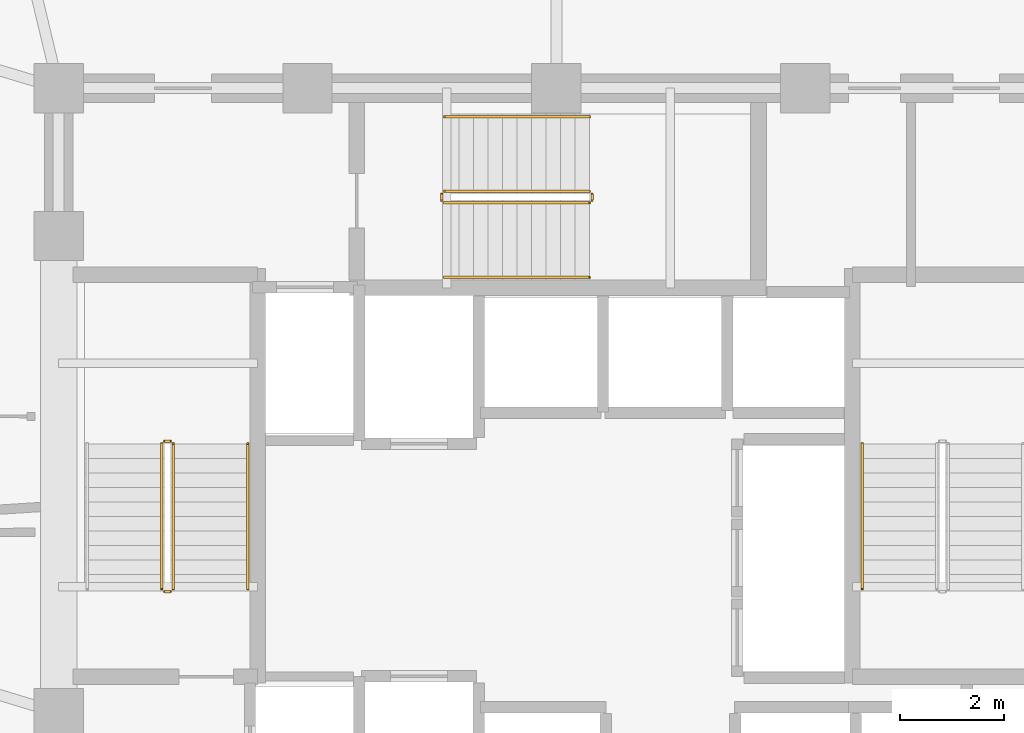
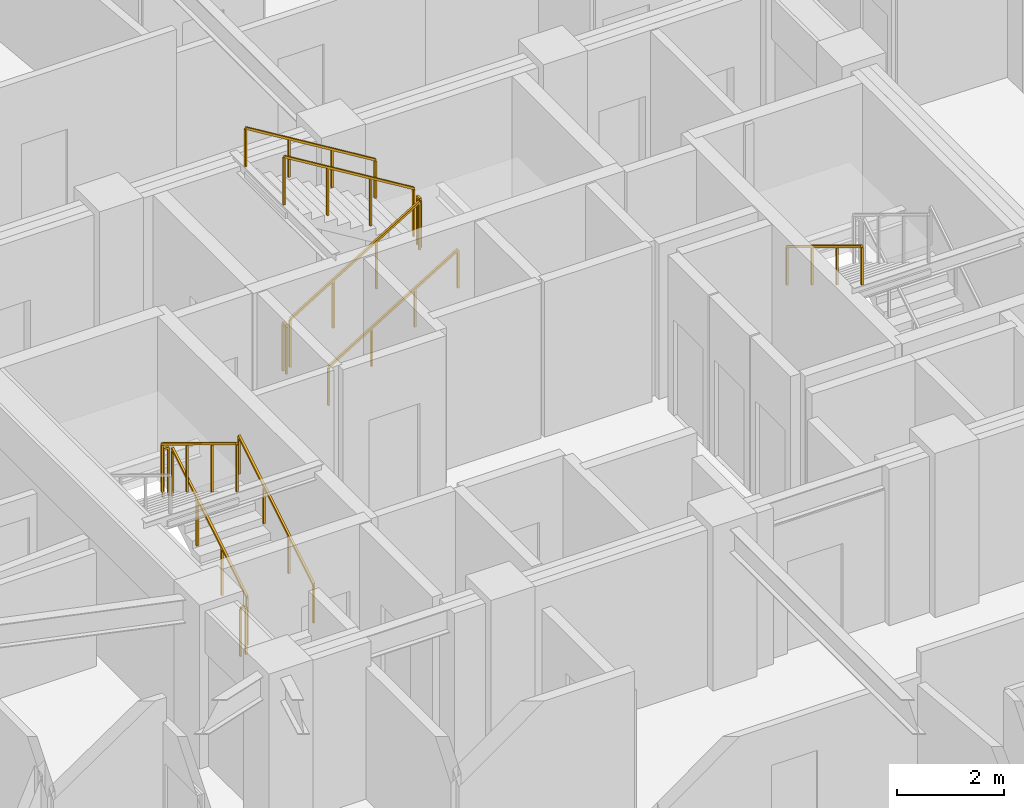
# One storey, part 28 of 30: 12 railings.
"""IFC4 building model written with IfcOpenShell, lengths in metres."""

from ifc_helpers import new_model, si_unit, direction, frame, origin, origin_2d, place, context, subcontext, project, spatial, rectangle, extrude, material, type_object, element, save


model = new_model("IFC4")

# Units and contexts
model_context = context("Model", 3, precision=1e-05, world=origin(), true_north=direction((0.0, 1.0)))
body_context = subcontext(model_context, "Body", "Model", "MODEL_VIEW")
ifc_project = project(units=[si_unit("LENGTHUNIT", "METRE"), si_unit("AREAUNIT", "SQUARE_METRE"), si_unit("VOLUMEUNIT", "CUBIC_METRE"), si_unit("PLANEANGLEUNIT", "RADIAN"), si_unit("MASSUNIT", "GRAM", prefix="KILO")], contexts=[model_context])

# Site, building, storey
site_placement = place(None, origin())
site = spatial("IfcSite", under=ifc_project, at=site_placement, CompositionType="ELEMENT")
building_placement = place(site_placement, origin())
building = spatial("IfcBuilding", under=site, at=building_placement, Name="Vantalir Tower", CompositionType="ELEMENT")
storey_placement = place(building_placement, frame((0.0, 0.0, 153.449951171875)))
storey = spatial("IfcBuildingStorey", under=building, at=storey_placement, Name="L38", CompositionType="ELEMENT", Elevation=153.449951171875)

# Railings
ifc_material_1 = material(Name="Anodised aluminium and stainless steel guard", Category="steel")
railing_type_1 = type_object("IfcRailingType", Name="RAL-GUARD-1120", PredefinedType="GUARDRAIL", material=ifc_material_1)
railing_1_placement = place(storey_placement, frame((24.110107421875, 22.7900390625, 0.17041015625)))
element("IfcRailing", 1, at=railing_1_placement, inside=storey, type_object=railing_type_1, Name="L38 ST1 stair guard 1", PredefinedType="GUARDRAIL", context=body_context, shape_type="SweptSolid", body=[
    extrude(rectangle(XDim=0.048095703125, YDim=0.048095703125, at=origin_2d()), frame((0.0, 0.0, 1.09619140625), z_axis=(0.0, 0.854169791009, 0.51999420009), x_axis=(-1.0, 0.0, 0.0)), (0.0, 0.0, 1.0), 3.278076171875),
    extrude(rectangle(XDim=0.0419921875, YDim=0.0419921875, at=origin_2d()), origin(), (0.0, 0.0, 1.0), 1.072021484375),
    extrude(rectangle(XDim=0.0419921875, YDim=0.0419921875, at=origin_2d()), frame((0.0, 0.933349609375, 0.568115234375)), (0.0, 0.0, 1.0), 1.072021484375),
    extrude(rectangle(XDim=0.0419921875, YDim=0.0419921875, at=origin_2d()), frame((0.0, 1.86669921875, 1.136474609375)), (0.0, 0.0, 1.0), 1.072021484375),
    extrude(rectangle(XDim=0.0419921875, YDim=0.0419921875, at=origin_2d()), frame((0.0, 2.800048828125, 1.70458984375)), (0.0, 0.0, 1.0), 1.072021484375),
])
railing_2_placement = place(storey_placement, frame((24.06005859375, 25.639892578125, 1.875)))
element("IfcRailing", 2, at=railing_2_placement, inside=storey, type_object=railing_type_1, Name="L38 ST1 stair guard 2", PredefinedType="GUARDRAIL", context=body_context, shape_type="SweptSolid", body=[
    extrude(rectangle(XDim=0.048095703125, YDim=0.048095703125, at=origin_2d()), frame((0.0, 0.0, 1.09619140625), z_axis=(-1.0, 0.0, 0.0), x_axis=(0.0, -1.0, 0.0)), (0.0, 0.0, 1.0), 0.1201171875),
    extrude(rectangle(XDim=0.0419921875, YDim=0.0419921875, at=origin_2d()), origin(), (0.0, 0.0, 1.0), 1.072021484375),
    extrude(rectangle(XDim=0.0419921875, YDim=0.0419921875, at=origin_2d()), frame((-0.1201171875, 0.0, 0.0)), (0.0, 0.0, 1.0), 1.072021484375),
])
railing_3_placement = place(storey_placement, frame((23.889892578125, 25.590087890625, 2.04541015625)))
element("IfcRailing", 3, at=railing_3_placement, inside=storey, type_object=railing_type_1, Name="L38 ST1 stair guard 3", PredefinedType="GUARDRAIL", context=body_context, shape_type="SweptSolid", body=[
    extrude(rectangle(XDim=0.048095703125, YDim=0.048095703125, at=origin_2d()), frame((0.0, 0.0, 1.09619140625), z_axis=(0.0, -0.854169791009, 0.51999420009), x_axis=(1.0, 0.0, 0.0)), (0.0, 0.0, 1.0), 3.278076171875),
    extrude(rectangle(XDim=0.0419921875, YDim=0.0419921875, at=origin_2d()), origin(), (0.0, 0.0, 1.0), 1.072021484375),
    extrude(rectangle(XDim=0.0419921875, YDim=0.0419921875, at=origin_2d()), frame((0.0, -0.933349609375, 0.568115234375)), (0.0, 0.0, 1.0), 1.072021484375),
    extrude(rectangle(XDim=0.0419921875, YDim=0.0419921875, at=origin_2d()), frame((0.0, -1.86669921875, 1.136474609375)), (0.0, 0.0, 1.0), 1.072021484375),
    extrude(rectangle(XDim=0.0419921875, YDim=0.0419921875, at=origin_2d()), frame((0.0, -2.800048828125, 1.70458984375)), (0.0, 0.0, 1.0), 1.072021484375),
])
railing_4_placement = place(storey_placement, frame((24.06005859375, 22.739990234375, 0.0)))
element("IfcRailing", 4, at=railing_4_placement, inside=storey, type_object=railing_type_1, Name="L38 ST1 stair guard 4", PredefinedType="GUARDRAIL", context=body_context, shape_type="SweptSolid", body=[
    extrude(rectangle(XDim=0.048095703125, YDim=0.048095703125, at=origin_2d()), frame((0.0, 0.0, 1.09619140625), z_axis=(-1.0, 0.0, 0.0), x_axis=(0.0, -1.0, 0.0)), (0.0, 0.0, 1.0), 0.1201171875),
    extrude(rectangle(XDim=0.0419921875, YDim=0.0419921875, at=origin_2d()), origin(), (0.0, 0.0, 1.0), 1.072021484375),
    extrude(rectangle(XDim=0.0419921875, YDim=0.0419921875, at=origin_2d()), frame((-0.1201171875, 0.0, 0.0)), (0.0, 0.0, 1.0), 1.072021484375),
])
railing_5_placement = place(storey_placement, frame((29.340087890625, 30.239990234375, 0.17041015625)))
element("IfcRailing", 5, at=railing_5_placement, inside=storey, type_object=railing_type_1, Name="L38 ST3 stair guard 1", PredefinedType="GUARDRAIL", context=body_context, shape_type="SweptSolid", body=[
    extrude(rectangle(XDim=0.048095703125, YDim=0.048095703125, at=origin_2d()), frame((0.0, 0.0, 1.09619140625), z_axis=(0.854149651119, 0.0, 0.520027281489), x_axis=(0.0, 1.0, 0.0)), (0.0, 0.0, 1.0), 3.27783203125),
    extrude(rectangle(XDim=0.0419921875, YDim=0.0419921875, at=origin_2d()), origin(), (0.0, 0.0, 1.0), 1.072021484375),
    extrude(rectangle(XDim=0.0419921875, YDim=0.0419921875, at=origin_2d()), frame((0.933349609375, 0.0, 0.568115234375)), (0.0, 0.0, 1.0), 1.072021484375),
    extrude(rectangle(XDim=0.0419921875, YDim=0.0419921875, at=origin_2d()), frame((1.866455078125, 0.0, 1.136474609375)), (0.0, 0.0, 1.0), 1.072021484375),
    extrude(rectangle(XDim=0.0419921875, YDim=0.0419921875, at=origin_2d()), frame((2.7998046875, 0.0, 1.70458984375)), (0.0, 0.0, 1.0), 1.072021484375),
])
railing_6_placement = place(storey_placement, frame((32.18994140625, 30.2900390625, 1.875)))
element("IfcRailing", 6, at=railing_6_placement, inside=storey, type_object=railing_type_1, Name="L38 ST3 stair guard 2", PredefinedType="GUARDRAIL", context=body_context, shape_type="SweptSolid", body=[
    extrude(rectangle(XDim=0.048095703125, YDim=0.048095703125, at=origin_2d()), frame((0.0, 0.0, 1.09619140625), z_axis=(0.0, 1.0, 0.0), x_axis=(-1.0, 0.0, 0.0)), (0.0, 0.0, 1.0), 0.119873046875),
    extrude(rectangle(XDim=0.0419921875, YDim=0.0419921875, at=origin_2d()), origin(), (0.0, 0.0, 1.0), 1.072021484375),
    extrude(rectangle(XDim=0.0419921875, YDim=0.0419921875, at=origin_2d()), frame((0.0, 0.119873046875, 0.0)), (0.0, 0.0, 1.0), 1.072021484375),
])
railing_7_placement = place(storey_placement, frame((32.139892578125, 30.4599609375, 2.04541015625)))
element("IfcRailing", 7, at=railing_7_placement, inside=storey, type_object=railing_type_1, Name="L38 ST3 stair guard 3", PredefinedType="GUARDRAIL", context=body_context, shape_type="SweptSolid", body=[
    extrude(rectangle(XDim=0.048095703125, YDim=0.048095703125, at=origin_2d()), frame((0.0, 0.0, 1.09619140625), z_axis=(-0.854149651119, 0.0, 0.520027281489), x_axis=(0.0, -1.0, 0.0)), (0.0, 0.0, 1.0), 3.27783203125),
    extrude(rectangle(XDim=0.0419921875, YDim=0.0419921875, at=origin_2d()), origin(), (0.0, 0.0, 1.0), 1.072021484375),
    extrude(rectangle(XDim=0.0419921875, YDim=0.0419921875, at=origin_2d()), frame((-0.933349609375, 0.0, 0.568115234375)), (0.0, 0.0, 1.0), 1.072021484375),
    extrude(rectangle(XDim=0.0419921875, YDim=0.0419921875, at=origin_2d()), frame((-1.866455078125, 0.0, 1.136474609375)), (0.0, 0.0, 1.0), 1.072021484375),
    extrude(rectangle(XDim=0.0419921875, YDim=0.0419921875, at=origin_2d()), frame((-2.7998046875, 0.0, 1.70458984375)), (0.0, 0.0, 1.0), 1.072021484375),
])
railing_8_placement = place(storey_placement, frame((29.2900390625, 30.2900390625, 0.0)))
element("IfcRailing", 8, at=railing_8_placement, inside=storey, type_object=railing_type_1, Name="L38 ST3 stair guard 4", PredefinedType="GUARDRAIL", context=body_context, shape_type="SweptSolid", body=[
    extrude(rectangle(XDim=0.048095703125, YDim=0.048095703125, at=origin_2d()), frame((0.0, 0.0, 1.09619140625), z_axis=(0.0, 1.0, 0.0), x_axis=(-1.0, 0.0, 0.0)), (0.0, 0.0, 1.0), 0.119873046875),
    extrude(rectangle(XDim=0.0419921875, YDim=0.0419921875, at=origin_2d()), origin(), (0.0, 0.0, 1.0), 1.072021484375),
    extrude(rectangle(XDim=0.0419921875, YDim=0.0419921875, at=origin_2d()), frame((0.0, 0.119873046875, 0.0)), (0.0, 0.0, 1.0), 1.072021484375),
])
ifc_material_2 = material(Name="Brushed stainless steel tubular handrail", Category="steel")
railing_type_2 = type_object("IfcRailingType", Name="RAL-HANDRAIL-900", PredefinedType="HANDRAIL", material=ifc_material_2)
railing_9_placement = place(storey_placement, frame((25.550048828125, 22.7900390625, 0.17041015625)))
element("IfcRailing", 9, at=railing_9_placement, inside=storey, type_object=railing_type_2, Name="L38 ST1 stair handrail 1", PredefinedType="HANDRAIL", context=body_context, shape_type="SweptSolid", body=[
    extrude(rectangle(XDim=0.048095703125, YDim=0.048095703125, at=origin_2d()), frame((0.0, 0.0, 0.8759765625), z_axis=(0.0, 0.854169791009, 0.51999420009), x_axis=(-1.0, 0.0, 0.0)), (0.0, 0.0, 1.0), 3.278076171875),
    extrude(rectangle(XDim=0.0419921875, YDim=0.0419921875, at=origin_2d()), origin(), (0.0, 0.0, 1.0), 0.851806640625),
    extrude(rectangle(XDim=0.0419921875, YDim=0.0419921875, at=origin_2d()), frame((0.0, 0.933349609375, 0.568115234375)), (0.0, 0.0, 1.0), 0.851806640625),
    extrude(rectangle(XDim=0.0419921875, YDim=0.0419921875, at=origin_2d()), frame((0.0, 1.86669921875, 1.136474609375)), (0.0, 0.0, 1.0), 0.851806640625),
    extrude(rectangle(XDim=0.0419921875, YDim=0.0419921875, at=origin_2d()), frame((0.0, 2.800048828125, 1.70458984375)), (0.0, 0.0, 1.0), 0.851806640625),
])
railing_10_placement = place(storey_placement, frame((37.39990234375, 25.590087890625, 2.04541015625)))
element("IfcRailing", 10, at=railing_10_placement, inside=storey, type_object=railing_type_2, Name="L38 ST2 stair handrail 2", PredefinedType="HANDRAIL", context=body_context, shape_type="SweptSolid", body=[
    extrude(rectangle(XDim=0.048095703125, YDim=0.048095703125, at=origin_2d()), frame((0.0, 0.0, 0.8759765625), z_axis=(0.0, -0.854169791009, 0.51999420009), x_axis=(1.0, 0.0, 0.0)), (0.0, 0.0, 1.0), 3.278076171875),
    extrude(rectangle(XDim=0.0419921875, YDim=0.0419921875, at=origin_2d()), origin(), (0.0, 0.0, 1.0), 0.851806640625),
    extrude(rectangle(XDim=0.0419921875, YDim=0.0419921875, at=origin_2d()), frame((0.0, -0.933349609375, 0.568115234375)), (0.0, 0.0, 1.0), 0.851806640625),
    extrude(rectangle(XDim=0.0419921875, YDim=0.0419921875, at=origin_2d()), frame((0.0, -1.86669921875, 1.136474609375)), (0.0, 0.0, 1.0), 0.851806640625),
    extrude(rectangle(XDim=0.0419921875, YDim=0.0419921875, at=origin_2d()), frame((0.0, -2.800048828125, 1.70458984375)), (0.0, 0.0, 1.0), 0.851806640625),
])
railing_11_placement = place(storey_placement, frame((29.340087890625, 28.800048828125, 0.17041015625)))
element("IfcRailing", 11, at=railing_11_placement, inside=storey, type_object=railing_type_2, Name="L38 ST3 stair handrail 1", PredefinedType="HANDRAIL", context=body_context, shape_type="SweptSolid", body=[
    extrude(rectangle(XDim=0.048095703125, YDim=0.048095703125, at=origin_2d()), frame((0.0, 0.0, 0.8759765625), z_axis=(0.854149651119, 0.0, 0.520027281489), x_axis=(0.0, 1.0, 0.0)), (0.0, 0.0, 1.0), 3.27783203125),
    extrude(rectangle(XDim=0.0419921875, YDim=0.0419921875, at=origin_2d()), origin(), (0.0, 0.0, 1.0), 0.851806640625),
    extrude(rectangle(XDim=0.0419921875, YDim=0.0419921875, at=origin_2d()), frame((0.933349609375, 0.0, 0.568115234375)), (0.0, 0.0, 1.0), 0.851806640625),
    extrude(rectangle(XDim=0.0419921875, YDim=0.0419921875, at=origin_2d()), frame((1.866455078125, 0.0, 1.136474609375)), (0.0, 0.0, 1.0), 0.851806640625),
    extrude(rectangle(XDim=0.0419921875, YDim=0.0419921875, at=origin_2d()), frame((2.7998046875, 0.0, 1.70458984375)), (0.0, 0.0, 1.0), 0.851806640625),
])
railing_12_placement = place(storey_placement, frame((32.139892578125, 31.89990234375, 2.04541015625)))
element("IfcRailing", 12, at=railing_12_placement, inside=storey, type_object=railing_type_2, Name="L38 ST3 stair handrail 2", PredefinedType="HANDRAIL", context=body_context, shape_type="SweptSolid", body=[
    extrude(rectangle(XDim=0.048095703125, YDim=0.048095703125, at=origin_2d()), frame((0.0, 0.0, 0.8759765625), z_axis=(-0.854149651119, 0.0, 0.520027281489), x_axis=(0.0, -1.0, 0.0)), (0.0, 0.0, 1.0), 3.27783203125),
    extrude(rectangle(XDim=0.0419921875, YDim=0.0419921875, at=origin_2d()), origin(), (0.0, 0.0, 1.0), 0.851806640625),
    extrude(rectangle(XDim=0.0419921875, YDim=0.0419921875, at=origin_2d()), frame((-0.933349609375, 0.0, 0.568115234375)), (0.0, 0.0, 1.0), 0.851806640625),
    extrude(rectangle(XDim=0.0419921875, YDim=0.0419921875, at=origin_2d()), frame((-1.866455078125, 0.0, 1.136474609375)), (0.0, 0.0, 1.0), 0.851806640625),
    extrude(rectangle(XDim=0.0419921875, YDim=0.0419921875, at=origin_2d()), frame((-2.7998046875, 0.0, 1.70458984375)), (0.0, 0.0, 1.0), 0.851806640625),
])

save(model, "model.ifc")
